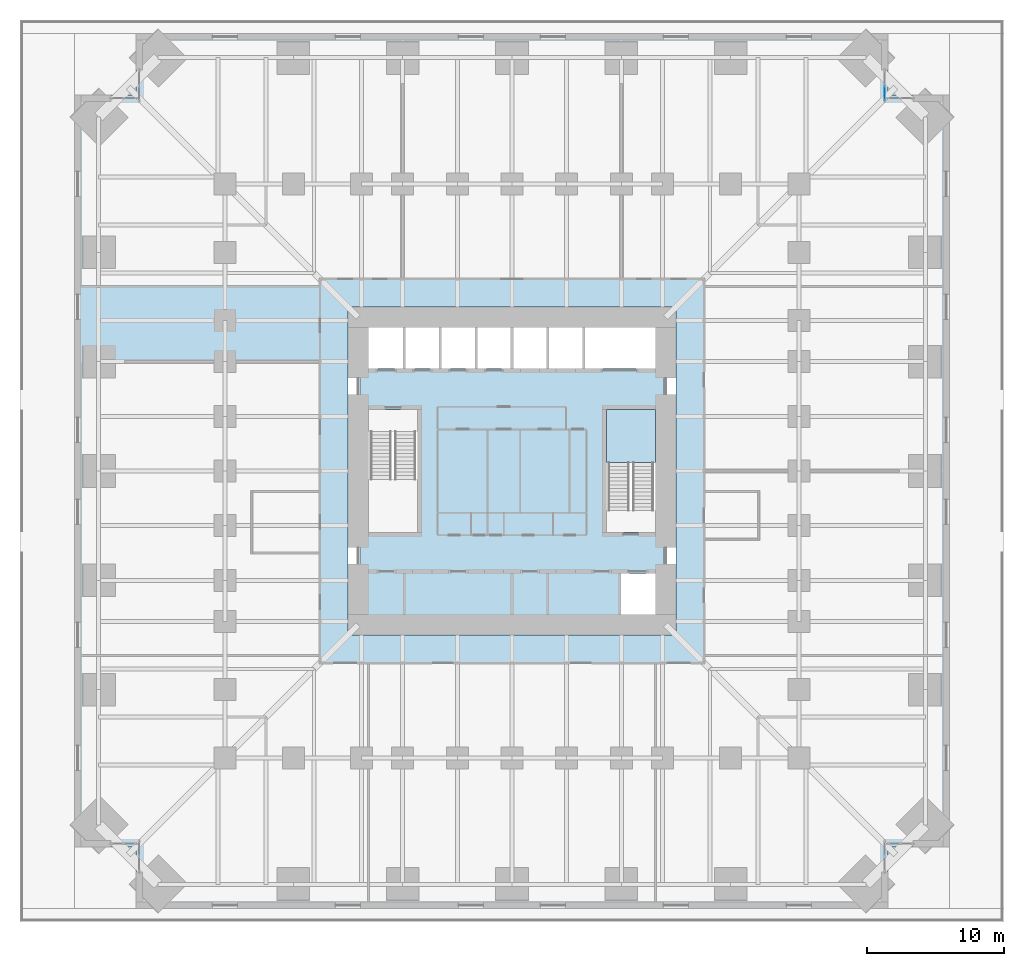
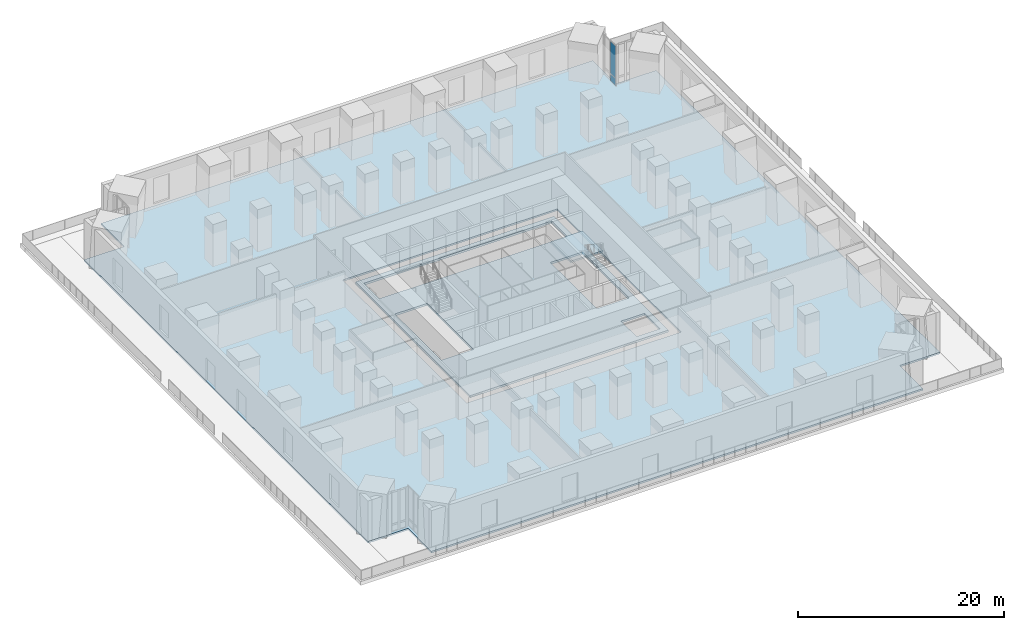
# One storey, part 17 of 26: 3 slabs, 2 plates, 2 elements without a shape of their own.
"""IFC4 building model written with IfcOpenShell, lengths in metres."""

from ifc_helpers import new_model, si_unit, direction, frame, origin, origin_2d, place, context, subcontext, project, spatial, polyline, rectangle, outline, extrude, material, layer, layer_set, type_object, element, aggregate, save


model = new_model("IFC4")

# Units and contexts
model_context = context("Model", 3, precision=1e-05, world=origin(), true_north=direction((0.0, 1.0)))
body_context = subcontext(model_context, "Body", "Model", "MODEL_VIEW")
ifc_project = project(units=[si_unit("LENGTHUNIT", "METRE"), si_unit("AREAUNIT", "SQUARE_METRE"), si_unit("VOLUMEUNIT", "CUBIC_METRE"), si_unit("PLANEANGLEUNIT", "RADIAN"), si_unit("MASSUNIT", "GRAM", prefix="KILO")], contexts=[model_context])

# Site, building, storey
site_placement = place(None, origin())
site = spatial("IfcSite", under=ifc_project, at=site_placement, CompositionType="ELEMENT")
building_placement = place(site_placement, origin())
building = spatial("IfcBuilding", under=site, at=building_placement, Name="Peilmerk Tower", CompositionType="ELEMENT")
storey_placement = place(building_placement, frame((0.0, 0.0, 16.0)))
storey = spatial("IfcBuildingStorey", under=building, at=storey_placement, Name="L03", CompositionType="ELEMENT", Elevation=16.0)

# Slab
ifc_material_1 = material(Name="Concrete C55/67", Category="concrete")
ifc_layer_1 = layer(ifc_material_1, 0.25)
ifc_layer_set_1 = layer_set([ifc_layer_1], Name="Concrete C55/67")
slab_type_1 = type_object("IfcSlabType", Name="CS250 250 core floor slab", PredefinedType="FLOOR", material=ifc_layer_set_1)
slab_1_placement = place(storey_placement, frame((0.0, 0.0, -0.25)))
element("IfcSlab", 1, at=slab_1_placement, inside=storey, type_object=slab_type_1, Name="Core slab L03", PredefinedType="FLOOR", context=body_context, shape_type="SweptSolid", body=[
    extrude(outline(polyline([(-11.10009765625, 11.10009765625), (-11.10009765625, -11.10009765625), (11.10009765625, -11.10009765625), (11.10009765625, 11.10009765625), (-11.10009765625, 11.10009765625)]), holes=[polyline([(10.5, 7.5), (-10.5, 7.5), (-10.5, 10.5), (10.5, 10.5), (10.5, 7.5)]), polyline([(7.875, -10.5), (7.875, -7.5), (10.5, -7.5), (10.5, -10.5), (7.875, -10.5)]), polyline([(-10.5, 4.5), (-6.89990234375, 4.5), (-6.89990234375, -4.5), (-10.5, -4.5), (-10.5, 4.5)]), polyline([(10.5, 4.5), (10.5, -4.5), (6.89990234375, -4.5), (6.89990234375, 4.5), (10.5, 4.5)])]), origin(), (0.0, 0.0, 1.0), 0.25),
])

# Curtain wall, plates
ifc_material_2 = material(Name="Aluminium stick curtain wall", Category="aluminium")
curtain_wall_type = type_object("IfcCurtainWallType", Name="CW1 stick curtain wall, 1500 module", PredefinedType="NOTDEFINED", material=ifc_material_2)
curtain_wall_placement = place(storey_placement, origin())
curtain_wall = element("IfcCurtainWall", 2, at=curtain_wall_placement, inside=storey, type_object=curtain_wall_type, Name="Curtain wall CW1 NEA L03", PredefinedType="NOTDEFINED")
ifc_material_3 = material(Name="Clear insulated glazing unit", Category="glass")
ifc_layer_2 = layer(ifc_material_3, 0.028076171875)
ifc_layer_set_2 = layer_set([ifc_layer_2], Name="Clear insulated glazing unit")
plate_type = type_object("IfcPlateType", Name="CW1-P 28 glazed panel", PredefinedType="CURTAIN_PANEL", material=ifc_layer_set_2)
plate_1_placement = place(storey_placement, frame((27.27490234375, 27.638427734375, 0.06494140625), z_axis=(0.0, 0.0, 1.0), x_axis=(0.0, 1.0, 0.0)))
plate_1 = element("IfcPlate", 3, at=plate_1_placement, type_object=plate_type, Name="CW1 panel 1.1", PredefinedType="CURTAIN_PANEL", context=body_context, shape_type="SweptSolid", body=[
    extrude(rectangle(XDim=1.046875, YDim=0.028076171875, at=origin_2d()), origin(), (0.0, 0.0, 1.0), 0.802490234375),
])
plate_2_placement = place(storey_placement, frame((27.27490234375, 27.638427734375, 0.9326171875), z_axis=(0.0, 0.0, 1.0), x_axis=(0.0, 1.0, 0.0)))
plate_2 = element("IfcPlate", 4, at=plate_2_placement, type_object=plate_type, Name="CW1 panel 1.2", PredefinedType="CURTAIN_PANEL", context=body_context, shape_type="SweptSolid", body=[
    extrude(rectangle(XDim=1.046875, YDim=0.028076171875, at=origin_2d()), origin(), (0.0, 0.0, 1.0), 3.802490234375),
])
aggregate(curtain_wall, [plate_1, plate_2])

# Slab
ifc_material_4 = material(Name="Concrete C35/45", Category="concrete")
ifc_layer_3 = layer(ifc_material_4, 0.199951171875)
ifc_layer_set_3 = layer_set([ifc_layer_3], Name="Concrete C35/45")
slab_type_2 = type_object("IfcSlabType", Name="FS200 200 composite floor slab", PredefinedType="FLOOR", material=ifc_layer_set_3)
slab_2_placement = place(storey_placement, frame((0.0, 0.0, -0.199951171875)))
element("IfcSlab", 5, at=slab_2_placement, inside=storey, type_object=slab_type_2, Name="Floor slab L03", PredefinedType="FLOOR", context=body_context, shape_type="SweptSolid", body=[
    extrude(outline(polyline([(-27.5, -32.0), (27.5, -32.0), (27.5, -27.5), (32.0, -27.5), (32.0, 27.5), (27.5, 27.5), (27.5, 32.0), (-27.5, 32.0), (-27.5, 27.5), (-32.0, 27.5), (-32.0, -27.5), (-27.5, -27.5), (-27.5, -32.0)]), holes=[polyline([(12.0, 12.0), (12.0, -12.0), (-12.0, -12.0), (-12.0, 12.0), (12.0, 12.0)])]), origin(), (0.0, 0.0, 1.0), 0.199951171875),
])

# Stair, slab
ifc_material_5 = material(Name="Precast concrete C45/55", Category="concrete")
stair_type = type_object("IfcStairType", Name="ST2 28 risers of 178.6", PredefinedType="HALF_TURN_STAIR", material=ifc_material_5)
stair_placement = place(storey_placement, origin())
stair = element("IfcStair", 6, at=stair_placement, inside=storey, type_object=stair_type, Name="Stair 2 L03 to L04", PredefinedType="HALF_TURN_STAIR")
ifc_layer_4 = layer(ifc_material_4, 0.199951171875)
ifc_layer_set_4 = layer_set([ifc_layer_4], Name="Concrete C35/45")
slab_type_3 = type_object("IfcSlabType", Name="SL1 200 concrete stair landing", PredefinedType="LANDING", material=ifc_layer_set_4)
slab_3_placement = place(storey_placement, frame((0.0, 0.0, 2.300048828125)))
slab_3 = element("IfcSlab", 7, at=slab_3_placement, type_object=slab_type_3, Name="ST2 landing 1", PredefinedType="LANDING", context=body_context, shape_type="SweptSolid", body=[
    extrude(outline(polyline([(6.89990234375, 0.610107421875), (10.5, 0.610107421875), (10.5, 4.5), (6.89990234375, 4.5), (6.89990234375, 0.610107421875)])), origin(), (0.0, 0.0, 1.0), 0.199951171875),
])
aggregate(stair, [slab_3])

save(model, "model.ifc")
